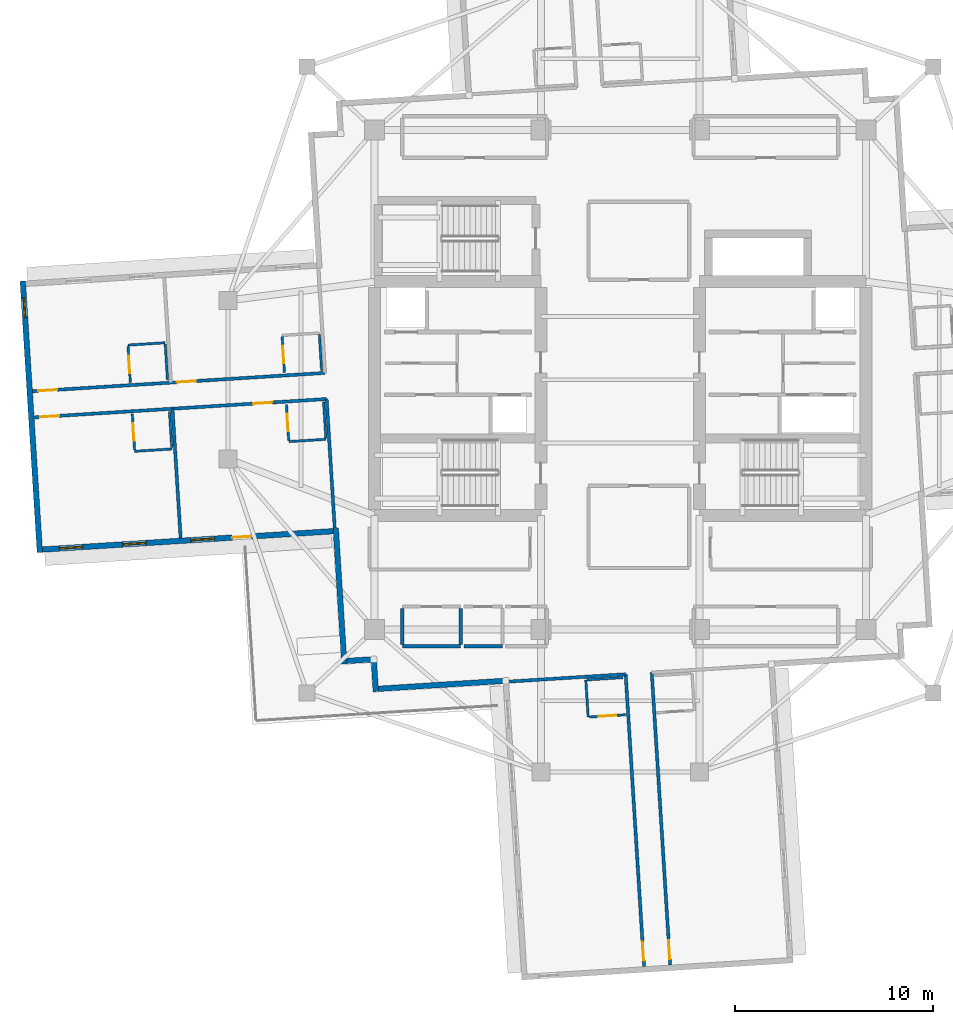
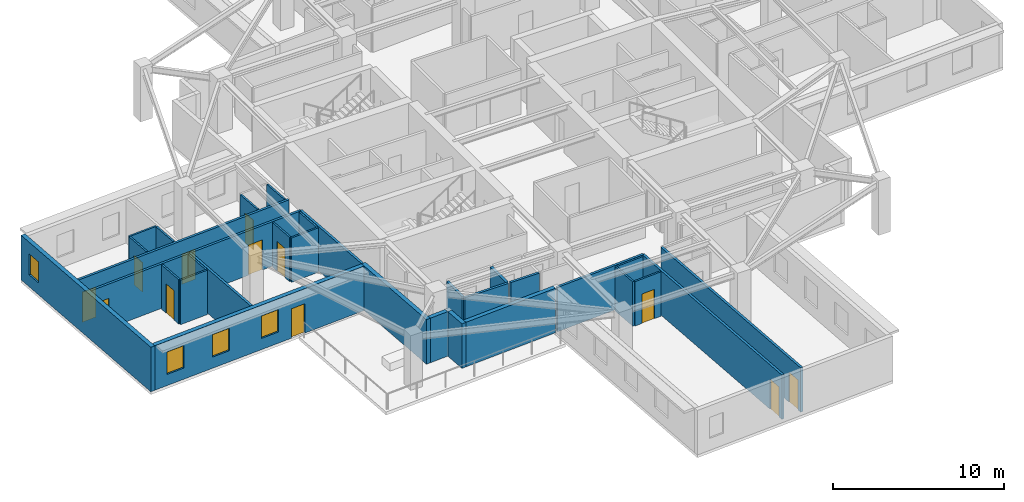
# One storey, part 3 of 12: 31 walls, 12 doors, 4 windows, 16 openings.
"""IFC4 building model written with IfcOpenShell, lengths in metres."""

from ifc_helpers import new_model, si_unit, direction, frame, frame_2d, origin, place, context, subcontext, project, spatial, rectangle, extrude, material, layer, layer_set, type_object, element, fill, save


model = new_model("IFC4")

# Units and contexts
model_context = context("Model", 3, precision=1e-05, world=origin(), true_north=direction((0.0, 1.0)))
body_context = subcontext(model_context, "Body", "Model", "MODEL_VIEW")
ifc_project = project(units=[si_unit("LENGTHUNIT", "METRE"), si_unit("AREAUNIT", "SQUARE_METRE"), si_unit("VOLUMEUNIT", "CUBIC_METRE"), si_unit("PLANEANGLEUNIT", "RADIAN"), si_unit("MASSUNIT", "GRAM", prefix="KILO")], contexts=[model_context])

# Site, building, storey
site_placement = place(None, origin())
site = spatial("IfcSite", under=ifc_project, at=site_placement, CompositionType="ELEMENT")
building_placement = place(site_placement, origin())
building = spatial("IfcBuilding", under=site, at=building_placement, Name="Qingluan Cross Belvedere", CompositionType="ELEMENT")
storey_placement = place(building_placement, frame((0.0, 0.0, 209.10009765625)))
storey = spatial("IfcBuildingStorey", under=building, at=storey_placement, Name="L52", CompositionType="ELEMENT", Elevation=209.10009765625)

# Walls
ifc_material_1 = material(Name="Gypsum plasterboard on steel stud acoustic partition", Category="steel")
ifc_layer_1 = layer(ifc_material_1, 0.159912109375, Name="CorridorPartition_160")
ifc_layer_set_1 = layer_set([ifc_layer_1], Name="Gypsum plasterboard on steel stud acoustic partition")
wall_type_1 = type_object("IfcWallType", Name="CorridorPartition_160", PredefinedType="PARTITIONING", material=ifc_layer_set_1)
wall_1_placement = place(storey_placement, frame((-11.0, -13.449951171875, 0.0), z_axis=(0.0, 0.0, 1.0), x_axis=(1.0, 0.0, 0.0)))
element("IfcWall", 1, at=wall_1_placement, inside=storey, type_object=wall_type_1, Name="Partition L52:q_sw_occ:S", PredefinedType="PARTITIONING", context=body_context, shape_type="SweptSolid", body=[
    extrude(rectangle(XDim=2.949951171875, YDim=0.159912109375, at=frame_2d((1.47509765625, 0.0))), origin(), (0.0, 0.0, 1.0), 3.169921875),
])
for number, where, z_axis, x_axis, name in (
    (2, (-11.0, -13.364990234375, 0.0), (0.0, 0.0, 1.0), (0.0, 1.0, 0.0), "Partition L52:q_sw_occ:W"),
    (3, (-8.050048828125, -13.364990234375, 0.0), (0.0, 0.0, 1.0), (0.0, 1.0, 0.0), "Partition L52:q_sw_occ:E"),
):
    element("IfcWall", number, at=place(storey_placement, frame(where, z_axis=z_axis, x_axis=x_axis)), inside=storey, type_object=wall_type_1, Name=name, PredefinedType="PARTITIONING", context=body_context, shape_type="SweptSolid", body=[
        extrude(rectangle(XDim=1.830078125, YDim=0.159912109375, at=frame_2d((0.9150390625, 0.0))), origin(), (0.0, 0.0, 1.0), 3.169921875),
    ])
wall_2_placement = place(storey_placement, frame((-7.889892578125, -13.449951171875, 0.0), z_axis=(0.0, 0.0, 1.0), x_axis=(1.0, 0.0, 0.0)))
element("IfcWall", 4, at=wall_2_placement, inside=storey, type_object=wall_type_1, Name="Partition L52:hk_linen:S", PredefinedType="PARTITIONING", context=body_context, shape_type="SweptSolid", body=[
    extrude(rectangle(XDim=1.93994140625, YDim=0.159912109375, at=frame_2d((0.969970703125, 0.0))), origin(), (0.0, 0.0, 1.0), 3.169921875),
])

# Wall, openings, doors
wall_3_placement = place(storey_placement, frame((-14.901123046875, 0.344970703125, 0.0), z_axis=(0.0, 0.0, 1.0), x_axis=(-0.998027499025, -0.062778270041, 0.0)))
wall_3 = element("IfcWall", 5, at=wall_3_placement, inside=storey, type_object=wall_type_1, Name="Partition L52:W:c0", PredefinedType="PARTITIONING", context=body_context, shape_type="SweptSolid", body=[
    extrude(rectangle(XDim=14.78173828125, YDim=0.159912109375, at=frame_2d((7.390869140625, 0.0))), origin(), (0.0, 0.0, 1.0), 3.169921875),
])
opening_1_placement = place(wall_3_placement, frame((6.532958984375, 0.0, 0.0)))
opening_1 = element("IfcOpeningElement", 6, at=opening_1_placement, cuts=wall_3, Name="Opening GD-10", PredefinedType="OPENING", context=body_context, shape_type="SweptSolid", body=[
    extrude(rectangle(XDim=0.9599609375, YDim=2.14990234375, at=frame_2d((0.47998046875, 1.074951171875))), frame((0.0, 0.08984375, 0.0), z_axis=(0.0, -1.0, 0.0), x_axis=(1.0, 0.0, 0.0)), (0.0, 0.0, 1.0), 0.179931640625),
])
opening_2_placement = place(wall_3_placement, frame((13.530029296875, 0.0, 0.0)))
opening_2 = element("IfcOpeningElement", 7, at=opening_2_placement, cuts=wall_3, Name="Opening GD-10", PredefinedType="OPENING", context=body_context, shape_type="SweptSolid", body=[
    extrude(rectangle(XDim=0.9599609375, YDim=2.14990234375, at=frame_2d((0.47998046875, 1.074951171875))), frame((0.0, 0.08984375, 0.0), z_axis=(0.0, -1.0, 0.0), x_axis=(1.0, 0.0, 0.0)), (0.0, 0.0, 1.0), 0.179931640625),
])
ifc_material_2 = material(Name="Timber oak fire-rated acoustic guestroom door", Category="wood")
door_type_1 = type_object("IfcDoorType", Name="GuestEntryDoor_FD60", OperationType="NOTDEFINED", PredefinedType="DOOR", material=ifc_material_2)
door_1_placement = place(opening_1_placement, origin())
door_1 = element("IfcDoor", 8, at=door_1_placement, inside=storey, type_object=door_type_1, Name="Guest entry fire door 5205", OperationType="SINGLE_SWING_RIGHT", OverallHeight=2.14990234375, OverallWidth=0.9599609375, PredefinedType="DOOR", context=body_context, shape_type="SweptSolid", body=[
    extrude(rectangle(XDim=0.9599609375, YDim=2.14990234375, at=frame_2d((0.47998046875, 1.074951171875))), frame((0.0, 0.02490234375, 0.0), z_axis=(0.0, -1.0, 0.0), x_axis=(1.0, 0.0, 0.0)), (0.0, 0.0, 1.0), 0.050048828125),
])
fill(opening_1, door_1)
door_2_placement = place(opening_2_placement, origin())
door_2 = element("IfcDoor", 9, at=door_2_placement, inside=storey, type_object=door_type_1, Name="Guest entry fire door 5206", OperationType="SINGLE_SWING_RIGHT", OverallHeight=2.14990234375, OverallWidth=0.9599609375, PredefinedType="DOOR", context=body_context, shape_type="SweptSolid", body=[
    extrude(rectangle(XDim=0.9599609375, YDim=2.14990234375, at=frame_2d((0.47998046875, 1.074951171875))), frame((0.0, 0.02490234375, 0.0), z_axis=(0.0, -1.0, 0.0), x_axis=(1.0, 0.0, 0.0)), (0.0, 0.0, 1.0), 0.050048828125),
])
fill(opening_2, door_2)

wall_4_placement = place(storey_placement, frame((-14.818115234375, -0.972412109375, 0.0), z_axis=(0.0, 0.0, 1.0), x_axis=(-0.998027564116, -0.062777235242, 0.0)))
wall_4 = element("IfcWall", 10, at=wall_4_placement, inside=storey, type_object=wall_type_1, Name="Partition L52:W:c1", PredefinedType="PARTITIONING", context=body_context, shape_type="SweptSolid", body=[
    extrude(rectangle(XDim=14.781982421875, YDim=0.159912109375, at=frame_2d((7.39111328125, 0.0))), origin(), (0.0, 0.0, 1.0), 3.169921875),
])
opening_3_placement = place(wall_4_placement, frame((2.759033203125, 0.0, 0.0)))
opening_3 = element("IfcOpeningElement", 11, at=opening_3_placement, cuts=wall_4, Name="Opening GD-10", PredefinedType="OPENING", context=body_context, shape_type="SweptSolid", body=[
    extrude(rectangle(XDim=0.9599609375, YDim=2.14990234375, at=frame_2d((0.47998046875, 1.074951171875))), frame((0.0, 0.08984375, 0.0), z_axis=(0.0, -1.0, 0.0), x_axis=(1.0, 0.0, 0.0)), (0.0, 0.0, 1.0), 0.179931640625),
])
opening_4_placement = place(wall_4_placement, frame((13.530029296875, 0.0, 0.0)))
opening_4 = element("IfcOpeningElement", 12, at=opening_4_placement, cuts=wall_4, Name="Opening GD-10", PredefinedType="OPENING", context=body_context, shape_type="SweptSolid", body=[
    extrude(rectangle(XDim=0.9599609375, YDim=2.14990234375, at=frame_2d((0.47998046875, 1.074951171875))), frame((0.0, 0.08984375, 0.0), z_axis=(0.0, -1.0, 0.0), x_axis=(1.0, 0.0, 0.0)), (0.0, 0.0, 1.0), 0.179931640625),
])
door_3_placement = place(opening_3_placement, origin())
door_3 = element("IfcDoor", 13, at=door_3_placement, inside=storey, type_object=door_type_1, Name="Guest entry fire door 5207", OperationType="SINGLE_SWING_RIGHT", OverallHeight=2.14990234375, OverallWidth=0.9599609375, PredefinedType="DOOR", context=body_context, shape_type="SweptSolid", body=[
    extrude(rectangle(XDim=0.9599609375, YDim=2.14990234375, at=frame_2d((0.47998046875, 1.074951171875))), frame((0.0, 0.02490234375, 0.0), z_axis=(0.0, -1.0, 0.0), x_axis=(1.0, 0.0, 0.0)), (0.0, 0.0, 1.0), 0.050048828125),
])
fill(opening_3, door_3)
door_4_placement = place(opening_4_placement, origin())
door_4 = element("IfcDoor", 14, at=door_4_placement, inside=storey, type_object=door_type_1, Name="Guest entry fire door 5208", OperationType="SINGLE_SWING_RIGHT", OverallHeight=2.14990234375, OverallWidth=0.9599609375, PredefinedType="DOOR", context=body_context, shape_type="SweptSolid", body=[
    extrude(rectangle(XDim=0.9599609375, YDim=2.14990234375, at=frame_2d((0.47998046875, 1.074951171875))), frame((0.0, 0.02490234375, 0.0), z_axis=(0.0, -1.0, 0.0), x_axis=(1.0, 0.0, 0.0)), (0.0, 0.0, 1.0), 0.050048828125),
])
fill(opening_4, door_4)

# Walls
for number, where, z_axis, x_axis, name in (
    (15, (-14.818115234375, -0.972412109375, 0.0), (0.0, 0.0, 1.0), (0.062792476105, -0.998026605329, 0.0), "Partition L52:W:s1"),
    (16, (-22.595703125, -1.461669921875, 0.0), (0.0, 0.0, 1.0), (0.062755246871, -0.99802894697, 0.0), "Partition L52:W:d1_0"),
):
    element("IfcWall", number, at=place(storey_placement, frame(where, z_axis=z_axis, x_axis=x_axis)), inside=storey, type_object=wall_type_1, Name=name, PredefinedType="PARTITIONING", context=body_context, shape_type="SweptSolid", body=[
        extrude(rectangle(XDim=6.531982421875, YDim=0.159912109375, at=frame_2d((3.26611328125, 0.0))), origin(), (0.0, 0.0, 1.0), 3.169921875),
    ])

# Wall, opening, door
wall_5_placement = place(storey_placement, frame((1.591064453125, -14.779296875, 0.0), z_axis=(0.0, 0.0, 1.0), x_axis=(0.062794721174, -0.998026464074, 0.0)))
wall_5 = element("IfcWall", 17, at=wall_5_placement, inside=storey, type_object=wall_type_1, Name="Partition L52:S:c0", PredefinedType="PARTITIONING", context=body_context, shape_type="SweptSolid", body=[
    extrude(rectangle(XDim=14.78173828125, YDim=0.159912109375, at=frame_2d((7.390869140625, 0.0))), origin(), (0.0, 0.0, 1.0), 3.169921875),
])
opening_5_placement = place(wall_5_placement, frame((13.530029296875, 0.0, 0.0)))
opening_5 = element("IfcOpeningElement", 18, at=opening_5_placement, cuts=wall_5, Name="Opening GD-10", PredefinedType="OPENING", context=body_context, shape_type="SweptSolid", body=[
    extrude(rectangle(XDim=0.9599609375, YDim=2.14990234375, at=frame_2d((0.47998046875, 1.074951171875))), frame((0.0, 0.08984375, 0.0), z_axis=(0.0, -1.0, 0.0), x_axis=(1.0, 0.0, 0.0)), (0.0, 0.0, 1.0), 0.179931640625),
])
door_5_placement = place(opening_5_placement, origin())
door_5 = element("IfcDoor", 19, at=door_5_placement, inside=storey, type_object=door_type_1, Name="Guest entry fire door 5213", OperationType="SINGLE_SWING_RIGHT", OverallHeight=2.14990234375, OverallWidth=0.9599609375, PredefinedType="DOOR", context=body_context, shape_type="SweptSolid", body=[
    extrude(rectangle(XDim=0.9599609375, YDim=2.14990234375, at=frame_2d((0.47998046875, 1.074951171875))), frame((0.0, 0.02490234375, 0.0), z_axis=(0.0, -1.0, 0.0), x_axis=(1.0, 0.0, 0.0)), (0.0, 0.0, 1.0), 0.050048828125),
])
fill(opening_5, door_5)

wall_6_placement = place(storey_placement, frame((0.273681640625, -14.862060546875, 0.0), z_axis=(0.0, 0.0, 1.0), x_axis=(0.062793686106, -0.998026529199, 0.0)))
wall_6 = element("IfcWall", 20, at=wall_6_placement, inside=storey, type_object=wall_type_1, Name="Partition L52:S:c1", PredefinedType="PARTITIONING", context=body_context, shape_type="SweptSolid", body=[
    extrude(rectangle(XDim=14.781982421875, YDim=0.159912109375, at=frame_2d((7.39111328125, 0.0))), origin(), (0.0, 0.0, 1.0), 3.169921875),
])
opening_6_placement = place(wall_6_placement, frame((13.530029296875, 0.0, 0.0)))
opening_6 = element("IfcOpeningElement", 21, at=opening_6_placement, cuts=wall_6, Name="Opening GD-10", PredefinedType="OPENING", context=body_context, shape_type="SweptSolid", body=[
    extrude(rectangle(XDim=0.9599609375, YDim=2.14990234375, at=frame_2d((0.47998046875, 1.074951171875))), frame((0.0, 0.08984375, 0.0), z_axis=(0.0, -1.0, 0.0), x_axis=(1.0, 0.0, 0.0)), (0.0, 0.0, 1.0), 0.179931640625),
])
door_6_placement = place(opening_6_placement, origin())
door_6 = element("IfcDoor", 22, at=door_6_placement, inside=storey, type_object=door_type_1, Name="Guest entry fire door 5214", OperationType="SINGLE_SWING_RIGHT", OverallHeight=2.14990234375, OverallWidth=0.9599609375, PredefinedType="DOOR", context=body_context, shape_type="SweptSolid", body=[
    extrude(rectangle(XDim=0.9599609375, YDim=2.14990234375, at=frame_2d((0.47998046875, 1.074951171875))), frame((0.0, 0.02490234375, 0.0), z_axis=(0.0, -1.0, 0.0), x_axis=(1.0, 0.0, 0.0)), (0.0, 0.0, 1.0), 0.050048828125),
])
fill(opening_6, door_6)

# Wall
wall_7_placement = place(storey_placement, frame((0.273681640625, -14.862060546875, 0.0), z_axis=(0.0, 0.0, 1.0), x_axis=(-0.998025680695, -0.062807170557, 0.0)))
element("IfcWall", 23, at=wall_7_placement, inside=storey, type_object=wall_type_1, Name="Partition L52:S:s1", PredefinedType="PARTITIONING", context=body_context, shape_type="SweptSolid", body=[
    extrude(rectangle(XDim=6.06005859375, YDim=0.159912109375, at=frame_2d((3.030029296875, 0.0))), origin(), (0.0, 0.0, 1.0), 3.169921875),
])

# Wall, opening, door
ifc_material_3 = material(Name="Moisture-resistant gypsum board lining")
ifc_layer_2 = layer(ifc_material_3, 0.1201171875, Name="EnsuiteWetPartition_120")
ifc_layer_set_2 = layer_set([ifc_layer_2], Name="Moisture-resistant gypsum board lining")
wall_type_2 = type_object("IfcWallType", Name="EnsuiteWetPartition_120", PredefinedType="PARTITIONING", material=ifc_layer_set_2)
wall_8_placement = place(storey_placement, frame((-16.94580078125, 0.356689453125, 0.0), z_axis=(0.0, 0.0, 1.0), x_axis=(-0.062779145668, 0.998027443946, 0.0)))
wall_8 = element("IfcWall", 24, at=wall_8_placement, inside=storey, type_object=wall_type_2, Name="Partition L52:W:bs0_0", PredefinedType="PARTITIONING", context=body_context, shape_type="SweptSolid", body=[
    extrude(rectangle(XDim=1.820068359375, YDim=0.1201171875, at=frame_2d((0.91015625, 0.0))), origin(), (0.0, 0.0, 1.0), 3.169921875),
])
opening_7_placement = place(wall_8_placement, frame((0.469970703125, 0.0, 0.0)))
opening_7 = element("IfcOpeningElement", 25, at=opening_7_placement, cuts=wall_8, Name="Opening BD-09", PredefinedType="OPENING", context=body_context, shape_type="SweptSolid", body=[
    extrude(rectangle(XDim=0.8798828125, YDim=2.10009765625, at=frame_2d((0.43994140625, 1.050048828125))), frame((0.0, 0.070068359375, 0.0), z_axis=(0.0, -1.0, 0.0), x_axis=(1.0, 0.0, 0.0)), (0.0, 0.0, 1.0), 0.14013671875),
])
ifc_material_4 = material(Name="Moisture-sealed timber en-suite door", Category="wood")
door_type_2 = type_object("IfcDoorType", Name="BathroomDoor_880", OperationType="NOTDEFINED", PredefinedType="DOOR", material=ifc_material_4)
door_7_placement = place(opening_7_placement, origin())
door_7 = element("IfcDoor", 26, at=door_7_placement, inside=storey, type_object=door_type_2, Name="Bathroom door 5205", OperationType="SINGLE_SWING_LEFT", OverallHeight=2.10009765625, OverallWidth=0.8798828125, PredefinedType="DOOR", context=body_context, shape_type="SweptSolid", body=[
    extrude(rectangle(XDim=0.8798828125, YDim=2.10009765625, at=frame_2d((0.43994140625, 1.050048828125))), frame((0.0, 0.02490234375, 0.0), z_axis=(0.0, -1.0, 0.0), x_axis=(1.0, 0.0, 0.0)), (0.0, 0.0, 1.0), 0.050048828125),
])
fill(opening_7, door_7)

# Wall
wall_9_placement = place(storey_placement, frame((-15.069580078125, 0.474609375, 0.0), z_axis=(0.0, 0.0, 1.0), x_axis=(-0.062779145668, 0.998027443946, 0.0)))
element("IfcWall", 27, at=wall_9_placement, inside=storey, type_object=wall_type_2, Name="Partition L52:W:bw0_0", PredefinedType="PARTITIONING", context=body_context, shape_type="SweptSolid", body=[
    extrude(rectangle(XDim=1.820068359375, YDim=0.1201171875, at=frame_2d((0.91015625, 0.0))), origin(), (0.0, 0.0, 1.0), 3.169921875),
])

# Wall, opening, door
wall_10_placement = place(storey_placement, frame((-24.723388671875, -0.1328125, 0.0), z_axis=(0.0, 0.0, 1.0), x_axis=(-0.062779145668, 0.998027443946, 0.0)))
wall_10 = element("IfcWall", 28, at=wall_10_placement, inside=storey, type_object=wall_type_2, Name="Partition L52:W:bs0_1", PredefinedType="PARTITIONING", context=body_context, shape_type="SweptSolid", body=[
    extrude(rectangle(XDim=1.820068359375, YDim=0.1201171875, at=frame_2d((0.91015625, 0.0))), origin(), (0.0, 0.0, 1.0), 3.169921875),
])
opening_8_placement = place(wall_10_placement, frame((0.469970703125, 0.0, 0.0)))
opening_8 = element("IfcOpeningElement", 29, at=opening_8_placement, cuts=wall_10, Name="Opening BD-09", PredefinedType="OPENING", context=body_context, shape_type="SweptSolid", body=[
    extrude(rectangle(XDim=0.8798828125, YDim=2.10009765625, at=frame_2d((0.43994140625, 1.050048828125))), frame((0.0, 0.070068359375, 0.0), z_axis=(0.0, -1.0, 0.0), x_axis=(1.0, 0.0, 0.0)), (0.0, 0.0, 1.0), 0.14013671875),
])
door_8_placement = place(opening_8_placement, origin())
door_8 = element("IfcDoor", 30, at=door_8_placement, inside=storey, type_object=door_type_2, Name="Bathroom door 5206", OperationType="SINGLE_SWING_LEFT", OverallHeight=2.10009765625, OverallWidth=0.8798828125, PredefinedType="DOOR", context=body_context, shape_type="SweptSolid", body=[
    extrude(rectangle(XDim=0.8798828125, YDim=2.10009765625, at=frame_2d((0.43994140625, 1.050048828125))), frame((0.0, 0.02490234375, 0.0), z_axis=(0.0, -1.0, 0.0), x_axis=(1.0, 0.0, 0.0)), (0.0, 0.0, 1.0), 0.050048828125),
])
fill(opening_8, door_8)

# Walls
wall_11_placement = place(storey_placement, frame((-22.84716796875, -0.0146484375, 0.0), z_axis=(0.0, 0.0, 1.0), x_axis=(-0.062779145668, 0.998027443946, 0.0)))
element("IfcWall", 31, at=wall_11_placement, inside=storey, type_object=wall_type_2, Name="Partition L52:W:bw0_1", PredefinedType="PARTITIONING", context=body_context, shape_type="SweptSolid", body=[
    extrude(rectangle(XDim=1.820068359375, YDim=0.1201171875, at=frame_2d((0.91015625, 0.0))), origin(), (0.0, 0.0, 1.0), 3.169921875),
])
wall_12_placement = place(storey_placement, frame((-22.965576171875, 1.86669921875, 0.0), z_axis=(0.0, 0.0, 1.0), x_axis=(-0.998022650819, -0.062855297722, 0.0)))
element("IfcWall", 32, at=wall_12_placement, inside=storey, type_object=wall_type_2, Name="Partition L52:W:bn0_1", PredefinedType="PARTITIONING", context=body_context, shape_type="SweptSolid", body=[
    extrude(rectangle(XDim=1.8798828125, YDim=0.1201171875, at=frame_2d((0.93994140625, 0.0))), origin(), (0.0, 0.0, 1.0), 3.169921875),
])

# Wall, opening, door
wall_13_placement = place(storey_placement, frame((-16.731201171875, -3.056640625, 0.0), z_axis=(0.0, 0.0, 1.0), x_axis=(-0.062779145668, 0.998027443946, 0.0)))
wall_13 = element("IfcWall", 33, at=wall_13_placement, inside=storey, type_object=wall_type_2, Name="Partition L52:W:bs1_0", PredefinedType="PARTITIONING", context=body_context, shape_type="SweptSolid", body=[
    extrude(rectangle(XDim=1.820068359375, YDim=0.1201171875, at=frame_2d((0.91015625, 0.0))), origin(), (0.0, 0.0, 1.0), 3.169921875),
])
opening_9_placement = place(wall_13_placement, frame((0.469970703125, 0.0, 0.0)))
opening_9 = element("IfcOpeningElement", 34, at=opening_9_placement, cuts=wall_13, Name="Opening BD-09", PredefinedType="OPENING", context=body_context, shape_type="SweptSolid", body=[
    extrude(rectangle(XDim=0.8798828125, YDim=2.10009765625, at=frame_2d((0.43994140625, 1.050048828125))), frame((0.0, 0.070068359375, 0.0), z_axis=(0.0, -1.0, 0.0), x_axis=(1.0, 0.0, 0.0)), (0.0, 0.0, 1.0), 0.14013671875),
])
door_9_placement = place(opening_9_placement, origin())
door_9 = element("IfcDoor", 35, at=door_9_placement, inside=storey, type_object=door_type_2, Name="Bathroom door 5207", OperationType="SINGLE_SWING_LEFT", OverallHeight=2.10009765625, OverallWidth=0.8798828125, PredefinedType="DOOR", context=body_context, shape_type="SweptSolid", body=[
    extrude(rectangle(XDim=0.8798828125, YDim=2.10009765625, at=frame_2d((0.43994140625, 1.050048828125))), frame((0.0, 0.02490234375, 0.0), z_axis=(0.0, -1.0, 0.0), x_axis=(1.0, 0.0, 0.0)), (0.0, 0.0, 1.0), 0.050048828125),
])
fill(opening_9, door_9)

# Walls
wall_14_placement = place(storey_placement, frame((-14.854736328125, -2.9384765625, 0.0), z_axis=(0.0, 0.0, 1.0), x_axis=(-0.062779145668, 0.998027443946, 0.0)))
element("IfcWall", 36, at=wall_14_placement, inside=storey, type_object=wall_type_2, Name="Partition L52:W:bw1_0", PredefinedType="PARTITIONING", context=body_context, shape_type="SweptSolid", body=[
    extrude(rectangle(XDim=1.820068359375, YDim=0.1201171875, at=frame_2d((0.91015625, 0.0))), origin(), (0.0, 0.0, 1.0), 3.169921875),
])
wall_15_placement = place(storey_placement, frame((-14.8505859375, -3.00341796875, 0.0), z_axis=(0.0, 0.0, 1.0), x_axis=(-0.998023163794, -0.062847152131, 0.0)))
element("IfcWall", 37, at=wall_15_placement, inside=storey, type_object=wall_type_2, Name="Partition L52:W:bc1_0", PredefinedType="PARTITIONING", context=body_context, shape_type="SweptSolid", body=[
    extrude(rectangle(XDim=1.880126953125, YDim=0.1201171875, at=frame_2d((0.93994140625, 0.0))), origin(), (0.0, 0.0, 1.0), 3.169921875),
])

# Wall, opening, door
wall_16_placement = place(storey_placement, frame((-24.5087890625, -3.5458984375, 0.0), z_axis=(0.0, 0.0, 1.0), x_axis=(-0.062779145668, 0.998027443946, 0.0)))
wall_16 = element("IfcWall", 38, at=wall_16_placement, inside=storey, type_object=wall_type_2, Name="Partition L52:W:bs1_1", PredefinedType="PARTITIONING", context=body_context, shape_type="SweptSolid", body=[
    extrude(rectangle(XDim=1.820068359375, YDim=0.1201171875, at=frame_2d((0.91015625, 0.0))), origin(), (0.0, 0.0, 1.0), 3.169921875),
])
opening_10_placement = place(wall_16_placement, frame((0.469970703125, 0.0, 0.0)))
opening_10 = element("IfcOpeningElement", 39, at=opening_10_placement, cuts=wall_16, Name="Opening BD-09", PredefinedType="OPENING", context=body_context, shape_type="SweptSolid", body=[
    extrude(rectangle(XDim=0.8798828125, YDim=2.10009765625, at=frame_2d((0.43994140625, 1.050048828125))), frame((0.0, 0.070068359375, 0.0), z_axis=(0.0, -1.0, 0.0), x_axis=(1.0, 0.0, 0.0)), (0.0, 0.0, 1.0), 0.14013671875),
])
door_10_placement = place(opening_10_placement, origin())
door_10 = element("IfcDoor", 40, at=door_10_placement, inside=storey, type_object=door_type_2, Name="Bathroom door 5208", OperationType="SINGLE_SWING_LEFT", OverallHeight=2.10009765625, OverallWidth=0.8798828125, PredefinedType="DOOR", context=body_context, shape_type="SweptSolid", body=[
    extrude(rectangle(XDim=0.8798828125, YDim=2.10009765625, at=frame_2d((0.43994140625, 1.050048828125))), frame((0.0, 0.02490234375, 0.0), z_axis=(0.0, -1.0, 0.0), x_axis=(1.0, 0.0, 0.0)), (0.0, 0.0, 1.0), 0.050048828125),
])
fill(opening_10, door_10)

# Walls
wall_17_placement = place(storey_placement, frame((-22.63232421875, -3.427978515625, 0.0), z_axis=(0.0, 0.0, 1.0), x_axis=(-0.062779145668, 0.998027443946, 0.0)))
element("IfcWall", 41, at=wall_17_placement, inside=storey, type_object=wall_type_2, Name="Partition L52:W:bw1_1", PredefinedType="PARTITIONING", context=body_context, shape_type="SweptSolid", body=[
    extrude(rectangle(XDim=1.820068359375, YDim=0.1201171875, at=frame_2d((0.91015625, 0.0))), origin(), (0.0, 0.0, 1.0), 3.169921875),
])
wall_18_placement = place(storey_placement, frame((-22.62841796875, -3.49267578125, 0.0), z_axis=(0.0, 0.0, 1.0), x_axis=(-0.998022650819, -0.062855297722, 0.0)))
element("IfcWall", 42, at=wall_18_placement, inside=storey, type_object=wall_type_2, Name="Partition L52:W:bc1_1", PredefinedType="PARTITIONING", context=body_context, shape_type="SweptSolid", body=[
    extrude(rectangle(XDim=1.8798828125, YDim=0.1201171875, at=frame_2d((0.93994140625, 0.0))), origin(), (0.0, 0.0, 1.0), 3.169921875),
])

# Wall, opening, door
wall_19_placement = place(storey_placement, frame((-1.55419921875, -17.021240234375, 0.0), z_axis=(0.0, 0.0, 1.0), x_axis=(0.998027443946, 0.062779145668, 0.0)))
wall_19 = element("IfcWall", 43, at=wall_19_placement, inside=storey, type_object=wall_type_2, Name="Partition L52:S:bs1_0", PredefinedType="PARTITIONING", context=body_context, shape_type="SweptSolid", body=[
    extrude(rectangle(XDim=1.820068359375, YDim=0.1201171875, at=frame_2d((0.91015625, 0.0))), origin(), (0.0, 0.0, 1.0), 3.169921875),
])
opening_11_placement = place(wall_19_placement, frame((0.469970703125, 0.0, 0.0)))
opening_11 = element("IfcOpeningElement", 44, at=opening_11_placement, cuts=wall_19, Name="Opening BD-09", PredefinedType="OPENING", context=body_context, shape_type="SweptSolid", body=[
    extrude(rectangle(XDim=0.8798828125, YDim=2.10009765625, at=frame_2d((0.43994140625, 1.050048828125))), frame((0.0, 0.070068359375, 0.0), z_axis=(0.0, -1.0, 0.0), x_axis=(1.0, 0.0, 0.0)), (0.0, 0.0, 1.0), 0.14013671875),
])
door_11_placement = place(opening_11_placement, origin())
door_11 = element("IfcDoor", 45, at=door_11_placement, inside=storey, type_object=door_type_2, Name="Bathroom door 5214", OperationType="SINGLE_SWING_LEFT", OverallHeight=2.10009765625, OverallWidth=0.8798828125, PredefinedType="DOOR", context=body_context, shape_type="SweptSolid", body=[
    extrude(rectangle(XDim=0.8798828125, YDim=2.10009765625, at=frame_2d((0.43994140625, 1.050048828125))), frame((0.0, 0.02490234375, 0.0), z_axis=(0.0, -1.0, 0.0), x_axis=(1.0, 0.0, 0.0)), (0.0, 0.0, 1.0), 0.050048828125),
])
fill(opening_11, door_11)

# Walls
wall_20_placement = place(storey_placement, frame((-1.67236328125, -15.14501953125, 0.0), z_axis=(0.0, 0.0, 1.0), x_axis=(0.998019030272, 0.062912758763, 0.0)))
element("IfcWall", 46, at=wall_20_placement, inside=storey, type_object=wall_type_2, Name="Partition L52:S:bw1_0", PredefinedType="PARTITIONING", context=body_context, shape_type="SweptSolid", body=[
    extrude(rectangle(XDim=1.820068359375, YDim=0.1201171875, at=frame_2d((0.91015625, 0.0))), origin(), (0.0, 0.0, 1.0), 3.169921875),
])
wall_21_placement = place(storey_placement, frame((-1.7373046875, -15.14892578125, 0.0), z_axis=(0.0, 0.0, 1.0), x_axis=(0.062847152131, -0.998023163794, 0.0)))
element("IfcWall", 47, at=wall_21_placement, inside=storey, type_object=wall_type_2, Name="Partition L52:S:bc1_0", PredefinedType="PARTITIONING", context=body_context, shape_type="SweptSolid", body=[
    extrude(rectangle(XDim=1.880126953125, YDim=0.1201171875, at=frame_2d((0.93994140625, 0.0))), origin(), (0.0, 0.0, 1.0), 3.169921875),
])

# Wall, openings, windows, door
ifc_material_5 = material(Name="Precast concrete C45", Category="concrete")
ifc_layer_3 = layer(ifc_material_5, 0.280029296875, Name="PrecastFacadeWall_280")
ifc_layer_set_3 = layer_set([ifc_layer_3], Name="Precast concrete C45")
wall_type_3 = type_object("IfcWallType", Name="PrecastFacadeWall_280", PredefinedType="STANDARD", material=ifc_layer_set_3)
wall_22_placement = place(storey_placement, frame((-29.15966796875, -8.56787109375, 0.0), z_axis=(0.0, 0.0, 1.0), x_axis=(0.998026448555, 0.062794967833, 0.0)))
wall_22 = element("IfcWall", 48, at=wall_22_placement, inside=storey, type_object=wall_type_3, Name="Facade wall L52-WB", PredefinedType="STANDARD", context=body_context, shape_type="SweptSolid", body=[
    extrude(rectangle(XDim=14.7001953125, YDim=0.280029296875, at=frame_2d((7.35009765625, 0.0))), origin(), (0.0, 0.0, 1.0), 3.179931640625),
])
opening_12_placement = place(wall_22_placement, frame((0.85009765625, 0.0, 0.800048828125)))
opening_12 = element("IfcOpeningElement", 49, at=opening_12_placement, cuts=wall_22, Name="Opening W-02", PredefinedType="OPENING", context=body_context, shape_type="SweptSolid", body=[
    extrude(rectangle(XDim=1.199951171875, YDim=1.60009765625, at=frame_2d((0.60009765625, 0.800048828125))), frame((0.0, 0.14990234375, 0.0), z_axis=(0.0, -1.0, 0.0), x_axis=(1.0, 0.0, 0.0)), (0.0, 0.0, 1.0), 0.300048828125),
])
opening_13_placement = place(wall_22_placement, frame((4.050048828125, 0.0, 0.800048828125)))
opening_13 = element("IfcOpeningElement", 50, at=opening_13_placement, cuts=wall_22, Name="Opening W-02", PredefinedType="OPENING", context=body_context, shape_type="SweptSolid", body=[
    extrude(rectangle(XDim=1.199951171875, YDim=1.60009765625, at=frame_2d((0.60009765625, 0.800048828125))), frame((0.0, 0.14990234375, 0.0), z_axis=(0.0, -1.0, 0.0), x_axis=(1.0, 0.0, 0.0)), (0.0, 0.0, 1.0), 0.300048828125),
])
opening_14_placement = place(wall_22_placement, frame((7.5, 0.0, 0.800048828125)))
opening_14 = element("IfcOpeningElement", 51, at=opening_14_placement, cuts=wall_22, Name="Opening W-02", PredefinedType="OPENING", context=body_context, shape_type="SweptSolid", body=[
    extrude(rectangle(XDim=1.199951171875, YDim=1.60009765625, at=frame_2d((0.60009765625, 0.800048828125))), frame((0.0, 0.14990234375, 0.0), z_axis=(0.0, -1.0, 0.0), x_axis=(1.0, 0.0, 0.0)), (0.0, 0.0, 1.0), 0.300048828125),
])
opening_15_placement = place(wall_22_placement, frame((9.60009765625, 0.0, 0.0)))
opening_15 = element("IfcOpeningElement", 52, at=opening_15_placement, cuts=wall_22, Name="Opening WD-10", PredefinedType="OPENING", context=body_context, shape_type="SweptSolid", body=[
    extrude(rectangle(XDim=0.9599609375, YDim=2.10009765625, at=frame_2d((0.47998046875, 1.050048828125))), frame((0.0, 0.14990234375, 0.0), z_axis=(0.0, -1.0, 0.0), x_axis=(1.0, 0.0, 0.0)), (0.0, 0.0, 1.0), 0.300048828125),
])
ifc_material_6 = material(Name="Thermally broken triple Low-E glass in aluminium frame", Category="aluminium")
window_type_1 = type_object("IfcWindowType", Name="TriRibbonWin_1200x1600", PartitioningType="SINGLE_PANEL", PredefinedType="WINDOW", material=ifc_material_6)
window_1_placement = place(opening_12_placement, origin())
window_1 = element("IfcWindow", 53, at=window_1_placement, inside=storey, type_object=window_type_1, Name="Ribbon window L52-WB-1", OverallHeight=1.60009765625, OverallWidth=1.199951171875, PartitioningType="SINGLE_PANEL", PredefinedType="WINDOW", context=body_context, shape_type="SweptSolid", body=[
    extrude(rectangle(XDim=1.199951171875, YDim=1.60009765625, at=frame_2d((0.60009765625, 0.800048828125))), frame((0.0, 0.030029296875, 0.0), z_axis=(0.0, -1.0, 0.0), x_axis=(1.0, 0.0, 0.0)), (0.0, 0.0, 1.0), 0.06005859375),
])
fill(opening_12, window_1)
window_2_placement = place(opening_13_placement, origin())
window_2 = element("IfcWindow", 54, at=window_2_placement, inside=storey, type_object=window_type_1, Name="Ribbon window L52-WB-2", OverallHeight=1.60009765625, OverallWidth=1.199951171875, PartitioningType="SINGLE_PANEL", PredefinedType="WINDOW", context=body_context, shape_type="SweptSolid", body=[
    extrude(rectangle(XDim=1.199951171875, YDim=1.60009765625, at=frame_2d((0.60009765625, 0.800048828125))), frame((0.0, 0.030029296875, 0.0), z_axis=(0.0, -1.0, 0.0), x_axis=(1.0, 0.0, 0.0)), (0.0, 0.0, 1.0), 0.06005859375),
])
fill(opening_13, window_2)
window_3_placement = place(opening_14_placement, origin())
window_3 = element("IfcWindow", 55, at=window_3_placement, inside=storey, type_object=window_type_1, Name="Ribbon window L52-WB-3", OverallHeight=1.60009765625, OverallWidth=1.199951171875, PartitioningType="SINGLE_PANEL", PredefinedType="WINDOW", context=body_context, shape_type="SweptSolid", body=[
    extrude(rectangle(XDim=1.199951171875, YDim=1.60009765625, at=frame_2d((0.60009765625, 0.800048828125))), frame((0.0, 0.030029296875, 0.0), z_axis=(0.0, -1.0, 0.0), x_axis=(1.0, 0.0, 0.0)), (0.0, 0.0, 1.0), 0.06005859375),
])
fill(opening_14, window_3)
ifc_material_7 = material(Name="Thermally broken aluminium and Low-E glass", Category="aluminium")
door_type_3 = type_object("IfcDoorType", Name="WinterGardenDoor_096", OperationType="NOTDEFINED", PredefinedType="DOOR", material=ifc_material_7)
door_12_placement = place(opening_15_placement, origin())
door_12 = element("IfcDoor", 56, at=door_12_placement, inside=storey, type_object=door_type_3, Name="Outdoor terrace access door L52-spi", OperationType="SINGLE_SWING_RIGHT", OverallHeight=2.10009765625, OverallWidth=0.9599609375, PredefinedType="DOOR", context=body_context, shape_type="SweptSolid", body=[
    extrude(rectangle(XDim=0.9599609375, YDim=2.10009765625, at=frame_2d((0.47998046875, 1.050048828125))), frame((0.0, 0.02490234375, 0.0), z_axis=(0.0, -1.0, 0.0), x_axis=(1.0, 0.0, 0.0)), (0.0, 0.0, 1.0), 0.050048828125),
])
fill(opening_15, door_12)

# Wall, opening, window
wall_23_placement = place(storey_placement, frame((-30.152099609375, 4.9765625, 0.0), z_axis=(0.0, 0.0, 1.0), x_axis=(0.062797041623, -0.998026318072, 0.0)))
wall_23 = element("IfcWall", 57, at=wall_23_placement, inside=storey, type_object=wall_type_3, Name="Arm tip precast facade wall L52-W", PredefinedType="STANDARD", context=body_context, shape_type="SweptSolid", body=[
    extrude(rectangle(XDim=13.719970703125, YDim=0.280029296875, at=frame_2d((6.85986328125, 0.0))), origin(), (0.0, 0.0, 1.0), 3.179931640625),
])
opening_16_placement = place(wall_23_placement, frame((0.85009765625, 0.0, 0.85009765625)))
opening_16 = element("IfcOpeningElement", 58, at=opening_16_placement, cuts=wall_23, Name="Opening W-03", PredefinedType="OPENING", context=body_context, shape_type="SweptSolid", body=[
    extrude(rectangle(XDim=1.0, YDim=1.5, at=frame_2d((0.5, 0.75))), frame((0.0, 0.14990234375, 0.0), z_axis=(0.0, -1.0, 0.0), x_axis=(1.0, 0.0, 0.0)), (0.0, 0.0, 1.0), 0.300048828125),
])
ifc_material_8 = material(Name="Thermally broken triple Low-E glass in aluminium frame", Category="aluminium")
window_type_2 = type_object("IfcWindowType", Name="TriApexWin_1000x1500", PartitioningType="SINGLE_PANEL", PredefinedType="WINDOW", material=ifc_material_8)
window_4_placement = place(opening_16_placement, origin())
window_4 = element("IfcWindow", 59, at=window_4_placement, inside=storey, type_object=window_type_2, Name="Arm tip triangular window L52-W", OverallHeight=1.5, OverallWidth=1.0, PartitioningType="SINGLE_PANEL", PredefinedType="WINDOW", context=body_context, shape_type="SweptSolid", body=[
    extrude(rectangle(XDim=1.0, YDim=1.5, at=frame_2d((0.5, 0.75))), frame((0.0, 0.030029296875, 0.0), z_axis=(0.0, -1.0, 0.0), x_axis=(1.0, 0.0, 0.0)), (0.0, 0.0, 1.0), 0.06005859375),
])
fill(opening_16, window_4)

# Walls
wall_24_placement = place(storey_placement, frame((-14.357666015625, -7.496337890625, 0.0), z_axis=(0.0, 0.0, 1.0), x_axis=(0.062779317195, -0.998027433156, 0.0)))
element("IfcWall", 60, at=wall_24_placement, inside=storey, type_object=wall_type_3, Name="Corner wall L52-SW1", PredefinedType="STANDARD", context=body_context, shape_type="SweptSolid", body=[
    extrude(rectangle(XDim=6.85986328125, YDim=0.280029296875, at=frame_2d((3.429931640625, 0.0))), origin(), (0.0, 0.0, 1.0), 3.179931640625),
])
wall_25_placement = place(storey_placement, frame((-13.7958984375, -14.1943359375, 0.0), z_axis=(0.0, 0.0, 1.0), x_axis=(0.998023660242, 0.06283926796, 0.0)))
element("IfcWall", 61, at=wall_25_placement, inside=storey, type_object=wall_type_3, Name="Corner wall L52-SW2", PredefinedType="STANDARD", context=body_context, shape_type="SweptSolid", body=[
    extrude(rectangle(XDim=1.219970703125, YDim=0.280029296875, at=frame_2d((0.60986328125, 0.0))), origin(), (0.0, 0.0, 1.0), 3.179931640625),
])
wall_26_placement = place(storey_placement, frame((-12.429931640625, -14.24853515625, 0.0), z_axis=(0.0, 0.0, 1.0), x_axis=(0.062824119533, -0.998024613927, 0.0)))
element("IfcWall", 62, at=wall_26_placement, inside=storey, type_object=wall_type_3, Name="Corner wall L52-SW3", PredefinedType="STANDARD", context=body_context, shape_type="SweptSolid", body=[
    extrude(rectangle(XDim=1.5, YDim=0.280029296875, at=frame_2d((0.75, 0.0))), origin(), (0.0, 0.0, 1.0), 3.179931640625),
])
wall_27_placement = place(storey_placement, frame((-12.20458984375, -15.59716796875, 0.0), z_axis=(0.0, 0.0, 1.0), x_axis=(0.998024885752, 0.062819801181, 0.0)))
element("IfcWall", 63, at=wall_27_placement, inside=storey, type_object=wall_type_3, Name="Corner wall L52-SW4", PredefinedType="STANDARD", context=body_context, shape_type="SweptSolid", body=[
    extrude(rectangle(XDim=6.2998046875, YDim=0.280029296875, at=frame_2d((3.14990234375, 0.0))), origin(), (0.0, 0.0, 1.0), 3.179931640625),
])

save(model, "model.ifc")
